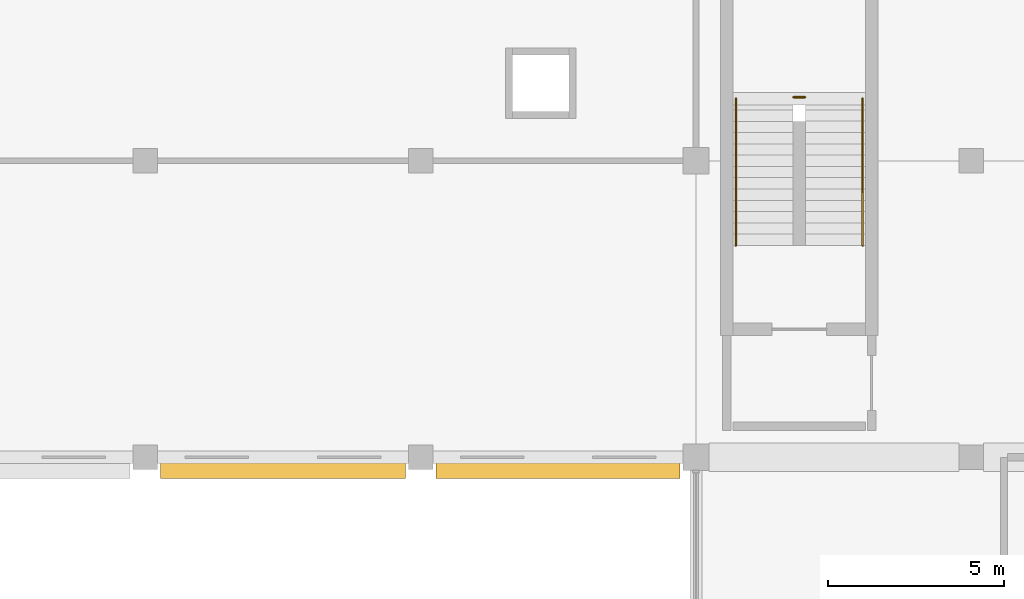
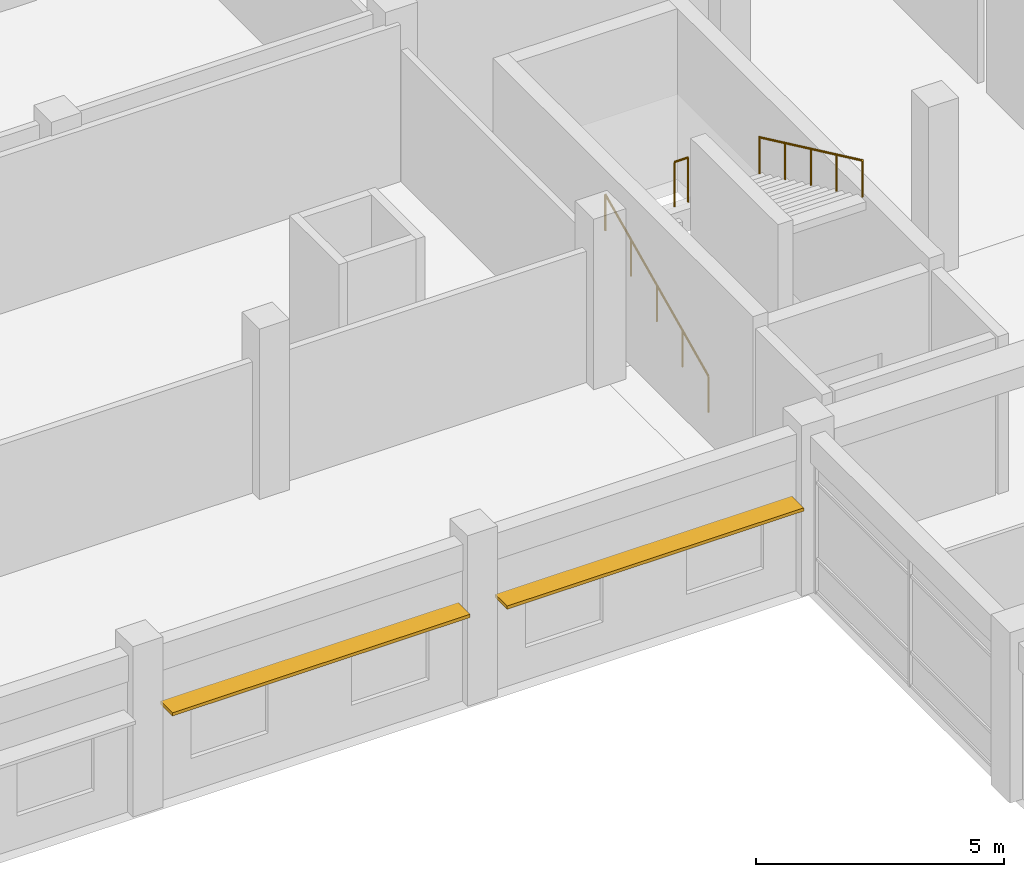
# One storey, part 50 of 53: 3 railings, 2 shading devices.
"""IFC4 building model written with IfcOpenShell, lengths in metres."""

from ifc_helpers import new_model, si_unit, direction, frame, origin, origin_2d, place, context, subcontext, project, spatial, rectangle, circle, extrude, material, layer, layer_set, type_object, element, save


model = new_model("IFC4")

# Units and contexts
model_context = context("Model", 3, precision=1e-05, world=origin(), true_north=direction((0.0, 1.0)))
body_context = subcontext(model_context, "Body", "Model", "MODEL_VIEW")
ifc_project = project(units=[si_unit("LENGTHUNIT", "METRE"), si_unit("AREAUNIT", "SQUARE_METRE"), si_unit("VOLUMEUNIT", "CUBIC_METRE"), si_unit("PLANEANGLEUNIT", "RADIAN"), si_unit("MASSUNIT", "GRAM", prefix="KILO"), si_unit("THERMODYNAMICTEMPERATUREUNIT", "KELVIN"), si_unit("POWERUNIT", "WATT")], contexts=[model_context])

# Site, building, storey
site_placement = place(None, origin())
site = spatial("IfcSite", under=ifc_project, at=site_placement, CompositionType="ELEMENT")
building_placement = place(site_placement, origin())
building = spatial("IfcBuilding", under=site, at=building_placement, Name="Srebrne Nadtorze General Hospital", CompositionType="ELEMENT")
storey_placement = place(building_placement, frame((0.0, 0.0, 18.0)))
storey = spatial("IfcBuildingStorey", under=building, at=storey_placement, Name="L04", CompositionType="ELEMENT", Elevation=18.0)

# Shading devices
ifc_material_1 = material(Name="Anodised Aluminium", Category="aluminium")
ifc_layer = layer(ifc_material_1, 0.080078125)
ifc_layer_set = layer_set([ifc_layer], Name="Anodised Aluminium")
shading_device_type = type_object("IfcShadingDeviceType", Name="Hisashi horizontal aluminium sunshade", PredefinedType="JALOUSIE", material=ifc_layer_set)
shading_device_1_placement = place(storey_placement, frame((89.699951171875, 50.0400390625, 2.369873046875), z_axis=(0.0, 0.0, 1.0), x_axis=(1.0, 0.0, 0.0)))
element("IfcShadingDevice", 1, at=shading_device_1_placement, inside=storey, type_object=shading_device_type, Name="Hisashi horizontal sunshade eave LV-267", PredefinedType="JALOUSIE", context=body_context, shape_type="SweptSolid", body=[
    extrude(rectangle(XDim=6.93994140625, YDim=0.47998046875, at=origin_2d()), origin(), (0.0, 0.0, 1.0), 0.080078125),
])
shading_device_2_placement = place(storey_placement, frame((97.487548828125, 50.0400390625, 2.27001953125), z_axis=(0.0, 0.0, 1.0), x_axis=(1.0, 0.0, 0.0)))
element("IfcShadingDevice", 2, at=shading_device_2_placement, inside=storey, type_object=shading_device_type, Name="Hisashi horizontal sunshade eave LV-268", PredefinedType="JALOUSIE", context=body_context, shape_type="SweptSolid", body=[
    extrude(rectangle(XDim=6.9150390625, YDim=0.47998046875, at=origin_2d()), origin(), (0.0, 0.0, 1.0), 0.080078125),
])

# Railings
ifc_material_2 = material(Name="Stainless Steel 316", Category="steel")
railing_type_1 = type_object("IfcRailingType", Name="Stairwell safety guard 1120", PredefinedType="BALUSTRADE", material=ifc_material_2)
railing_1_placement = place(storey_placement, frame((104.1650390625, 60.60009765625, 2.10009765625)))
element("IfcRailing", 3, at=railing_1_placement, inside=storey, type_object=railing_type_1, Name="Half landing well guard ST-03-L04", PredefinedType="BALUSTRADE", context=body_context, shape_type="SweptSolid", body=[
    extrude(circle(Radius=0.02392578125, at=origin_2d()), frame((0.0, 0.0, 1.09619140625), z_axis=(1.0, 0.0, 0.0), x_axis=(0.0, 1.0, 0.0)), (0.0, 0.0, 1.0), 0.320068359375),
    extrude(circle(Radius=0.02099609375, at=origin_2d()), origin(), (0.0, 0.0, 1.0), 1.072021484375),
    extrude(circle(Radius=0.02099609375, at=origin_2d()), frame((0.320068359375, 0.0, 0.0)), (0.0, 0.0, 1.0), 1.072021484375),
])
ifc_material_3 = material(Name="Stainless Steel 316", Category="steel")
railing_type_2 = type_object("IfcRailingType", Name="Tubular stainless handrail 920", PredefinedType="HANDRAIL", material=ifc_material_3)
railing_2_placement = place(storey_placement, frame((102.530029296875, 56.39990234375, 0.14990234375)))
element("IfcRailing", 4, at=railing_2_placement, inside=storey, type_object=railing_type_2, Name="Stair flight handrail ST-03-L04 F1", PredefinedType="HANDRAIL", context=body_context, shape_type="SweptSolid", body=[
    extrude(circle(Radius=0.02392578125, at=origin_2d()), frame((0.0, 0.0, 0.89599609375), z_axis=(0.0, 0.905448725289, 0.424455658311), x_axis=(-1.0, 0.0, 0.0)), (0.0, 0.0, 1.0), 4.594482421875),
    extrude(circle(Radius=0.02099609375, at=origin_2d()), origin(), (0.0, 0.0, 1.0), 0.871826171875),
    extrude(circle(Radius=0.02099609375, at=origin_2d()), frame((0.0, 1.0400390625, 0.487548828125)), (0.0, 0.0, 1.0), 0.871826171875),
    extrude(circle(Radius=0.02099609375, at=origin_2d()), frame((0.0, 2.080078125, 0.97509765625)), (0.0, 0.0, 1.0), 0.871826171875),
    extrude(circle(Radius=0.02099609375, at=origin_2d()), frame((0.0, 3.1201171875, 1.462646484375)), (0.0, 0.0, 1.0), 0.871826171875),
    extrude(circle(Radius=0.02099609375, at=origin_2d()), frame((0.0, 4.16015625, 1.9501953125)), (0.0, 0.0, 1.0), 0.871826171875),
])
railing_3_placement = place(storey_placement, frame((106.1201171875, 60.56005859375, 2.25)))
element("IfcRailing", 5, at=railing_3_placement, inside=storey, type_object=railing_type_2, Name="Stair flight handrail ST-03-L04 F2", PredefinedType="HANDRAIL", context=body_context, shape_type="SweptSolid", body=[
    extrude(circle(Radius=0.02392578125, at=origin_2d()), frame((0.0, 0.0, 0.89599609375), z_axis=(0.0, -0.905469146335, 0.424412093414), x_axis=(1.0, 0.0, 0.0)), (0.0, 0.0, 1.0), 4.594482421875),
    extrude(circle(Radius=0.02099609375, at=origin_2d()), origin(), (0.0, 0.0, 1.0), 0.871826171875),
    extrude(circle(Radius=0.02099609375, at=origin_2d()), frame((0.0, -1.0400390625, 0.487548828125)), (0.0, 0.0, 1.0), 0.871826171875),
    extrude(circle(Radius=0.02099609375, at=origin_2d()), frame((0.0, -2.080078125, 0.97509765625)), (0.0, 0.0, 1.0), 0.871826171875),
    extrude(circle(Radius=0.02099609375, at=origin_2d()), frame((0.0, -3.1201171875, 1.46240234375)), (0.0, 0.0, 1.0), 0.871826171875),
    extrude(circle(Radius=0.02099609375, at=origin_2d()), frame((0.0, -4.16015625, 1.949951171875)), (0.0, 0.0, 1.0), 0.871826171875),
])

save(model, "model.ifc")
